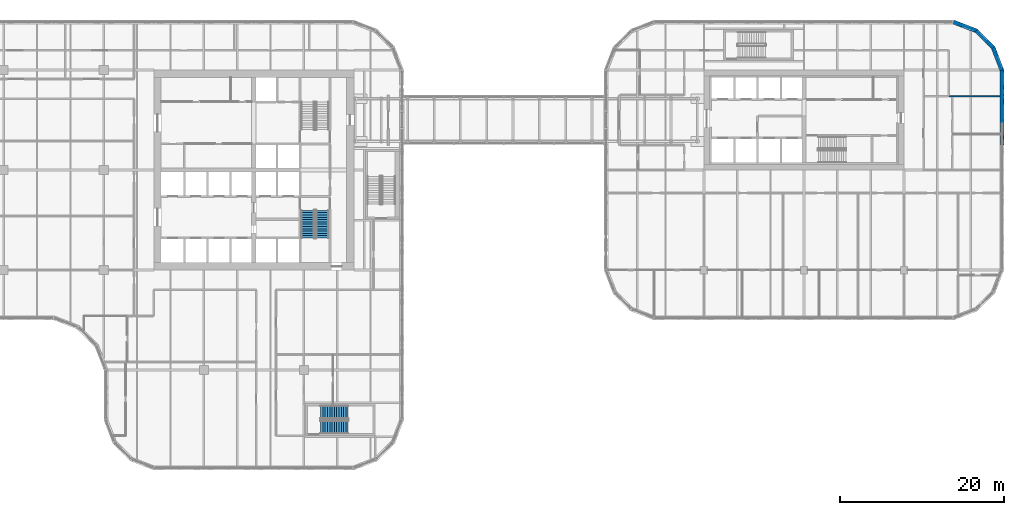
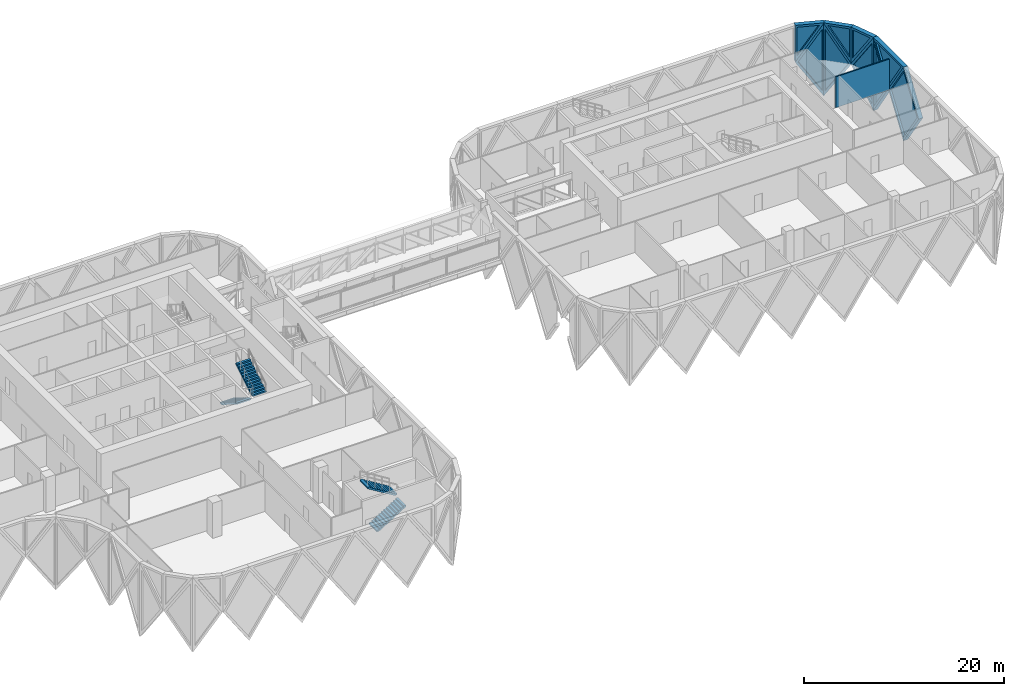
# One storey, part 27 of 30: 10 walls, 9 plates, 4 stair flights, 9 openings, 2 elements without a shape of their own.
"""IFC4 building model written with IfcOpenShell, lengths in metres."""

from ifc_helpers import new_model, si_unit, direction, frame, frame_2d, origin, place, context, subcontext, project, spatial, polyline, rectangle, outline, extrude, faceted_brep, source, transform, mapped, material, layer, layer_set, type_object, element, fill, aggregate, save


model = new_model("IFC4")

# Units and contexts
model_context = context("Model", 3, precision=1e-05, world=origin(), true_north=direction((0.0, 1.0)))
body_context = subcontext(model_context, "Body", "Model", "MODEL_VIEW")
ifc_project = project(units=[si_unit("LENGTHUNIT", "METRE"), si_unit("AREAUNIT", "SQUARE_METRE"), si_unit("VOLUMEUNIT", "CUBIC_METRE"), si_unit("PLANEANGLEUNIT", "RADIAN"), si_unit("MASSUNIT", "GRAM", prefix="KILO")], contexts=[model_context])

# Site, building, storey
site_placement = place(None, origin())
site = spatial("IfcSite", under=ifc_project, at=site_placement, CompositionType="ELEMENT")
building_placement = place(site_placement, origin())
building = spatial("IfcBuilding", under=site, at=building_placement, Name="Tessera Gate Towers", CompositionType="ELEMENT")
storey_placement = place(building_placement, frame((0.0, 0.0, 21.300048828125)))
storey = spatial("IfcBuildingStorey", under=building, at=storey_placement, Name="L04", CompositionType="ELEMENT", Elevation=21.300048828125)

# Wall
ifc_material_1 = material(Name="Gypsum board on steel studs, mineral wool", Category="steel")
ifc_layer_1 = layer(ifc_material_1, 0.14990234375)
ifc_layer_set_1 = layer_set([ifc_layer_1], Name="TENANCY WALL 150")
wall_type_1 = type_object("IfcWallType", Name="TENANCY WALL 150", PredefinedType="PARTITIONING", material=ifc_layer_set_1)
wall_1_placement = place(storey_placement, frame((127.52587890625, 45.60009765625, 0.0), z_axis=(0.0, 0.0, 1.0), x_axis=(1.0, 0.0, 0.0)))
element("IfcWall", 1, at=wall_1_placement, inside=storey, type_object=wall_type_1, Name="T2-L04-PW-034", PredefinedType="PARTITIONING", context=body_context, shape_type="SweptSolid", body=[
    extrude(rectangle(XDim=6.174072265625, YDim=0.14990234375, at=frame_2d((3.0869140625, 0.0))), origin(), (0.0, 0.0, 1.0), 3.766845703125),
])

# Wall, opening, plate
ifc_material_2 = material(Name="Precast concrete C60/75 white", Category="concrete")
ifc_layer_2 = layer(ifc_material_2, 0.5)
ifc_layer_set_2 = layer_set([ifc_layer_2], Name="TS1 tessera")
wall_type_2 = type_object("IfcWallType", Name="TS1 tessera", PredefinedType="SOLIDWALL", material=ifc_layer_set_2)
shared_shape_1 = source(origin(), body_context, "Body", "SweptSolid", [
    extrude(outline(polyline([(3.050048828125, 0.0), (6.10009765625, 4.5), (3.050048828125, 9.0), (0.0, 4.5), (3.050048828125, 0.0)])), frame((0.0, 0.25, 0.0), z_axis=(0.0, -1.0, 0.0), x_axis=(1.0, 0.0, 0.0)), (0.0, 0.0, 1.0), 0.5),
])
wall_2_placement = place(storey_placement, frame((133.949951171875, 39.64990234375, -4.5), z_axis=(0.0, 0.0, 1.0), x_axis=(0.0, 1.0, 0.0)))
wall_2 = element("IfcWall", 2, at=wall_2_placement, inside=storey, type_object=wall_type_2, Name="Precast tessera T2 TS1-0009", PredefinedType="SOLIDWALL", context=body_context, shape_type="MappedRepresentation", body=[
    mapped(shared_shape_1, transform((0.0, 0.0, 0.0), scale=1.0)),
])
shared_shape_2 = source(origin(), body_context, "Body", "SweptSolid", [
    extrude(outline(polyline([(3.050048828125, 0.445556640625), (5.798095703125, 4.5), (3.050048828125, 8.554443359375), (0.302001953125, 4.5), (3.050048828125, 0.445556640625)])), frame((0.0, 0.260009765625, 0.0), z_axis=(0.0, -1.0, 0.0), x_axis=(1.0, 0.0, 0.0)), (0.0, 0.0, 1.0), 0.52001953125),
])
opening_1_placement = place(wall_2_placement, origin())
opening_1 = element("IfcOpeningElement", 3, at=opening_1_placement, cuts=wall_2, Name="Opening T2-PL2-0013", PredefinedType="OPENING", context=body_context, shape_type="MappedRepresentation", body=[
    mapped(shared_shape_2, transform((0.0, 0.0, 0.0), scale=1.0)),
])
ifc_material_3 = material(Name="Low-e laminated glass", Category="glass")
ifc_layer_3 = layer(ifc_material_3, 0.06005859375)
ifc_layer_set_3 = layer_set([ifc_layer_3], Name="PL2 rhombic pane")
plate_type_1 = type_object("IfcPlateType", Name="PL2 rhombic pane", PredefinedType="SHEET", material=ifc_layer_set_3)
shared_shape_3 = source(origin(), body_context, "Body", "SweptSolid", [
    extrude(outline(polyline([(3.050048828125, 0.445556640625), (5.798095703125, 4.5), (3.050048828125, 8.554443359375), (0.302001953125, 4.5), (3.050048828125, 0.445556640625)])), frame((0.0, 0.030029296875, 0.0), z_axis=(0.0, -1.0, 0.0), x_axis=(1.0, 0.0, 0.0)), (0.0, 0.0, 1.0), 0.06005859375),
])
plate_1_placement = place(opening_1_placement, origin())
plate_1 = element("IfcPlate", 4, at=plate_1_placement, inside=storey, type_object=plate_type_1, Name="Glass pane T2 PL2-0013", PredefinedType="SHEET", context=body_context, shape_type="MappedRepresentation", body=[
    mapped(shared_shape_3, transform((0.0, 0.0, 0.0), scale=1.0)),
])
fill(opening_1, plate_1)

ifc_material_4 = material(Name="Precast concrete C60/75 white", Category="concrete")
ifc_layer_4 = layer(ifc_material_4, 0.5)
ifc_layer_set_4 = layer_set([ifc_layer_4], Name="TS3 corner tessera")
wall_type_3 = type_object("IfcWallType", Name="TS3 corner tessera", PredefinedType="SOLIDWALL", material=ifc_layer_set_4)
shared_shape_4 = source(origin(), body_context, "Body", "Brep", [
    faceted_brep([(0.052978515625, -0.25, 0.0), (3.00341796875, -0.25, 4.5), (0.052978515625, -0.25, 9.0), (0.0, -0.25, 8.919189453125), (0.0, -0.25, 0.080810546875), (0.10595703125, 0.25, 8.919189453125), (2.95703125, 0.25, 4.57080078125), (2.95703125, 0.25, 4.42919921875), (0.10595703125, 0.25, 0.080810546875), (3.00341796875, 0.00048828125, 4.5), (0.052978515625, 0.0, 0.0), (0.052978515625, 0.0, 9.0)], [[[0, 1, 2, 3, 4]], [[5, 6, 7, 8]], [[8, 7, 9, 1, 0, 10]], [[6, 5, 11, 2, 1, 9]], [[3, 2, 11]], [[10, 0, 4]], [[8, 10, 4, 3, 11, 5]], [[9, 7, 6]]]),
])
wall_3_placement = place(storey_placement, frame((130.855712890625, 53.569091796875, -4.5), z_axis=(0.0, 0.0, 1.0), x_axis=(-0.933007896601, 0.359855894603, 0.0)))
wall_3 = element("IfcWall", 5, at=wall_3_placement, inside=storey, type_object=wall_type_3, Name="Precast corner tessera T2 TS3-0024", PredefinedType="SOLIDWALL", context=body_context, shape_type="MappedRepresentation", body=[
    mapped(shared_shape_4, transform((0.0, 0.0, 0.0), scale=1.0)),
])
shared_shape_5 = source(origin(), body_context, "Body", "SweptSolid", [
    extrude(outline(polyline([(0.2529296875, 0.760986328125), (2.70458984375, 4.5), (0.2529296875, 8.239013671875), (0.2529296875, 0.760986328125)])), frame((0.0, 0.260009765625, 0.0), z_axis=(0.0, -1.0, 0.0), x_axis=(1.0, 0.0, 0.0)), (0.0, 0.0, 1.0), 0.52001953125),
])
opening_2_placement = place(wall_3_placement, origin())
opening_2 = element("IfcOpeningElement", 6, at=opening_2_placement, cuts=wall_3, Name="Opening T2-PL2-0017", PredefinedType="OPENING", context=body_context, shape_type="MappedRepresentation", body=[
    mapped(shared_shape_5, transform((0.0, 0.0, 0.0), scale=1.0)),
])
shared_shape_6 = source(origin(), body_context, "Body", "SweptSolid", [
    extrude(outline(polyline([(0.2529296875, 0.760986328125), (2.70458984375, 4.5), (0.2529296875, 8.239013671875), (0.2529296875, 0.760986328125)])), frame((0.0, 0.030029296875, 0.0), z_axis=(0.0, -1.0, 0.0), x_axis=(1.0, 0.0, 0.0)), (0.0, 0.0, 1.0), 0.06005859375),
])
plate_2_placement = place(opening_2_placement, origin())
plate_2 = element("IfcPlate", 7, at=plate_2_placement, inside=storey, type_object=plate_type_1, Name="Glass pane T2 PL2-0017", PredefinedType="SHEET", context=body_context, shape_type="MappedRepresentation", body=[
    mapped(shared_shape_6, transform((0.0, 0.0, 0.0), scale=1.0)),
])
fill(opening_2, plate_2)

shared_shape_7 = source(origin(), body_context, "Body", "Brep", [
    faceted_brep([(3.00341796875, -0.25, 0.0), (3.050048828125, -0.25, 0.071044921875), (3.050048828125, -0.25, 8.928955078125), (3.00341796875, -0.25, 9.0), (0.0, -0.25, 4.5), (0.0, 0.25, 4.5), (2.956787109375, 0.25, 8.930419921875), (2.956787109375, 0.25, 0.069580078125), (3.00341796875, 0.000244140625, 0.0), (3.00341796875, 0.000244140625, 9.0)], [[[0, 1, 2, 3, 4]], [[5, 6, 7]], [[1, 0, 8]], [[9, 3, 2]], [[6, 5, 4, 3, 9]], [[5, 7, 8, 0, 4]], [[1, 8, 7, 6, 9, 2]]]),
])
wall_4_placement = place(storey_placement, frame((133.949951171875, 45.75, -4.5), z_axis=(0.0, 0.0, 1.0), x_axis=(0.0, 1.0, 0.0)))
wall_4 = element("IfcWall", 8, at=wall_4_placement, inside=storey, type_object=wall_type_3, Name="Precast corner tessera T2 TS3-0021", PredefinedType="SOLIDWALL", context=body_context, shape_type="MappedRepresentation", body=[
    mapped(shared_shape_7, transform((0.0, 0.0, 0.0), scale=1.0)),
])
shared_shape_8 = source(origin(), body_context, "Body", "SweptSolid", [
    extrude(outline(polyline([(2.803466796875, 8.25), (0.300537109375, 4.5), (2.803466796875, 0.75), (2.803466796875, 8.25)])), frame((0.0, 0.260009765625, 0.0), z_axis=(0.0, -1.0, 0.0), x_axis=(1.0, 0.0, 0.0)), (0.0, 0.0, 1.0), 0.52001953125),
])
opening_3_placement = place(wall_4_placement, origin())
opening_3 = element("IfcOpeningElement", 9, at=opening_3_placement, cuts=wall_4, Name="Opening T2-PL2-0014", PredefinedType="OPENING", context=body_context, shape_type="MappedRepresentation", body=[
    mapped(shared_shape_8, transform((0.0, 0.0, 0.0), scale=1.0)),
])
shared_shape_9 = source(origin(), body_context, "Body", "SweptSolid", [
    extrude(outline(polyline([(2.803466796875, 8.25), (0.300537109375, 4.5), (2.803466796875, 0.75), (2.803466796875, 8.25)])), frame((0.0, 0.030029296875, 0.0), z_axis=(0.0, -1.0, 0.0), x_axis=(1.0, 0.0, 0.0)), (0.0, 0.0, 1.0), 0.06005859375),
])
plate_3_placement = place(opening_3_placement, origin())
plate_3 = element("IfcPlate", 10, at=plate_3_placement, inside=storey, type_object=plate_type_1, Name="Glass pane T2 PL2-0014", PredefinedType="SHEET", context=body_context, shape_type="MappedRepresentation", body=[
    mapped(shared_shape_9, transform((0.0, 0.0, 0.0), scale=1.0)),
])
fill(opening_3, plate_3)

shared_shape_10 = source(origin(), body_context, "Body", "Brep", [
    faceted_brep([(0.046630859375, -0.25, 0.0), (2.9970703125, -0.25, 4.5), (0.046630859375, -0.25, 9.0), (0.0, -0.25, 8.93017578125), (0.0, -0.25, 0.06982421875), (0.09326171875, 0.25, 8.928955078125), (2.9443359375, 0.25, 4.58056640625), (2.9443359375, 0.25, 4.41943359375), (0.09326171875, 0.25, 0.071044921875), (2.9970703125, 0.00048828125, 4.5), (0.046630859375, 0.0, 0.0), (0.046630859375, 0.0, 9.0)], [[[0, 1, 2, 3, 4]], [[5, 6, 7, 8]], [[8, 7, 9, 1, 0, 10]], [[6, 5, 11, 2, 1, 9]], [[3, 2, 11]], [[10, 0, 4]], [[8, 10, 4, 3, 11, 5]], [[9, 7, 6]]]),
])
wall_5_placement = place(storey_placement, frame((133.966796875, 48.7099609375, -4.5), z_axis=(0.0, 0.0, 1.0), x_axis=(-0.359901446078, 0.932990326376, 0.0)))
wall_5 = element("IfcWall", 11, at=wall_5_placement, inside=storey, type_object=wall_type_3, Name="Precast corner tessera T2 TS3-0022", PredefinedType="SOLIDWALL", context=body_context, shape_type="MappedRepresentation", body=[
    mapped(shared_shape_10, transform((0.0, 0.0, 0.0), scale=1.0)),
])
shared_shape_11 = source(origin(), body_context, "Body", "SweptSolid", [
    extrude(outline(polyline([(0.24658203125, 0.760986328125), (2.6982421875, 4.5), (0.24658203125, 8.239013671875), (0.24658203125, 0.760986328125)])), frame((0.0, 0.260009765625, 0.0), z_axis=(0.0, -1.0, 0.0), x_axis=(1.0, 0.0, 0.0)), (0.0, 0.0, 1.0), 0.52001953125),
])
opening_4_placement = place(wall_5_placement, origin())
opening_4 = element("IfcOpeningElement", 12, at=opening_4_placement, cuts=wall_5, Name="Opening T2-PL2-0015", PredefinedType="OPENING", context=body_context, shape_type="MappedRepresentation", body=[
    mapped(shared_shape_11, transform((0.0, 0.0, 0.0), scale=1.0)),
])
shared_shape_12 = source(origin(), body_context, "Body", "SweptSolid", [
    extrude(outline(polyline([(0.24658203125, 0.760986328125), (2.6982421875, 4.5), (0.24658203125, 8.239013671875), (0.24658203125, 0.760986328125)])), frame((0.0, 0.030029296875, 0.0), z_axis=(0.0, -1.0, 0.0), x_axis=(1.0, 0.0, 0.0)), (0.0, 0.0, 1.0), 0.06005859375),
])
plate_4_placement = place(opening_4_placement, origin())
plate_4 = element("IfcPlate", 13, at=plate_4_placement, inside=storey, type_object=plate_type_1, Name="Glass pane T2 PL2-0015", PredefinedType="SHEET", context=body_context, shape_type="MappedRepresentation", body=[
    mapped(shared_shape_12, transform((0.0, 0.0, 0.0), scale=1.0)),
])
fill(opening_4, plate_4)

shared_shape_13 = source(origin(), body_context, "Body", "Brep", [
    faceted_brep([(2.944091796875, -0.25, 0.0), (2.9970703125, -0.25, 0.080810546875), (2.9970703125, -0.25, 8.919189453125), (2.944091796875, -0.25, 9.0), (0.0, -0.25, 4.5), (0.052978515625, 0.25, 4.580810546875), (2.89111328125, 0.25, 8.919189453125), (2.89111328125, 0.25, 0.080810546875), (0.052978515625, 0.25, 4.419189453125), (2.944091796875, 0.000244140625, 0.0), (2.944091796875, 0.000244140625, 9.0), (0.0, 0.0, 4.5)], [[[0, 1, 2, 3, 4]], [[5, 6, 7, 8]], [[1, 0, 9]], [[10, 3, 2]], [[6, 5, 11, 4, 3, 10]], [[8, 7, 9, 0, 4, 11]], [[8, 11, 5]], [[1, 9, 7, 6, 10, 2]]]),
])
wall_6_placement = place(storey_placement, frame((132.88818359375, 51.50634765625, -4.5), z_axis=(0.0, 0.0, 1.0), x_axis=(-0.707147509625, 0.707066050402, 0.0)))
wall_6 = element("IfcWall", 14, at=wall_6_placement, inside=storey, type_object=wall_type_3, Name="Precast corner tessera T2 TS3-0023", PredefinedType="SOLIDWALL", context=body_context, shape_type="MappedRepresentation", body=[
    mapped(shared_shape_13, transform((0.0, 0.0, 0.0), scale=1.0)),
])
shared_shape_14 = source(origin(), body_context, "Body", "SweptSolid", [
    extrude(outline(polyline([(2.744140625, 8.237548828125), (0.298828125, 4.5), (2.744140625, 0.76220703125), (2.744140625, 8.237548828125)])), frame((0.0, 0.260009765625, 0.0), z_axis=(0.0, -1.0, 0.0), x_axis=(1.0, 0.0, 0.0)), (0.0, 0.0, 1.0), 0.52001953125),
])
opening_5_placement = place(wall_6_placement, origin())
opening_5 = element("IfcOpeningElement", 15, at=opening_5_placement, cuts=wall_6, Name="Opening T2-PL2-0016", PredefinedType="OPENING", context=body_context, shape_type="MappedRepresentation", body=[
    mapped(shared_shape_14, transform((0.0, 0.0, 0.0), scale=1.0)),
])
shared_shape_15 = source(origin(), body_context, "Body", "SweptSolid", [
    extrude(outline(polyline([(2.744140625, 8.237548828125), (0.298828125, 4.5), (2.744140625, 0.76220703125), (2.744140625, 8.237548828125)])), frame((0.0, 0.030029296875, 0.0), z_axis=(0.0, -1.0, 0.0), x_axis=(1.0, 0.0, 0.0)), (0.0, 0.0, 1.0), 0.06005859375),
])
plate_5_placement = place(opening_5_placement, origin())
plate_5 = element("IfcPlate", 16, at=plate_5_placement, inside=storey, type_object=plate_type_1, Name="Glass pane T2 PL2-0016", PredefinedType="SHEET", context=body_context, shape_type="MappedRepresentation", body=[
    mapped(shared_shape_15, transform((0.0, 0.0, 0.0), scale=1.0)),
])
fill(opening_5, plate_5)

shared_shape_16 = source(origin(), body_context, "Body", "Brep", [
    faceted_brep([(2.950439453125, -0.25, 0.0), (2.9970703125, -0.25, 0.06982421875), (2.9970703125, -0.25, 4.5), (0.0, -0.25, 4.5), (0.052978515625, 0.25, 4.5), (2.904052734375, 0.25, 4.5), (2.904052734375, 0.25, 0.07080078125), (0.052978515625, 0.25, 4.419189453125), (2.950439453125, 0.00048828125, 0.0), (0.0, 0.0, 4.5)], [[[0, 1, 2, 3]], [[4, 5, 6, 7]], [[1, 0, 8]], [[5, 4, 9, 3, 2]], [[7, 6, 8, 0, 3, 9]], [[7, 9, 4]], [[1, 8, 6, 5, 2]]]),
])
wall_7_placement = place(storey_placement, frame((130.80615234375, 53.588134765625, 0.0), z_axis=(0.0, 0.0, 1.0), x_axis=(-0.932990326376, 0.359901446078, 0.0)))
wall_7 = element("IfcWall", 17, at=wall_7_placement, inside=storey, type_object=wall_type_3, Name="Precast corner tessera T2 TS3-0041", PredefinedType="SOLIDWALL", context=body_context, shape_type="MappedRepresentation", body=[
    mapped(shared_shape_16, transform((0.0, 0.0, 0.0), scale=1.0)),
])
shared_shape_17 = source(origin(), body_context, "Body", "SweptSolid", [
    extrude(outline(polyline([(2.75048828125, 4.25), (0.462890625, 4.25), (2.75048828125, 0.760986328125), (2.75048828125, 4.25)])), frame((0.0, 0.260009765625, 0.0), z_axis=(0.0, -1.0, 0.0), x_axis=(1.0, 0.0, 0.0)), (0.0, 0.0, 1.0), 0.52001953125),
])
opening_6_placement = place(wall_7_placement, origin())
opening_6 = element("IfcOpeningElement", 18, at=opening_6_placement, cuts=wall_7, Name="Opening T2-PL1-0051", PredefinedType="OPENING", context=body_context, shape_type="MappedRepresentation", body=[
    mapped(shared_shape_17, transform((0.0, 0.0, 0.0), scale=1.0)),
])
ifc_material_5 = material(Name="Low-e laminated glass", Category="glass")
ifc_layer_5 = layer(ifc_material_5, 0.06005859375)
ifc_layer_set_5 = layer_set([ifc_layer_5], Name="PL1 triangular pane")
plate_type_2 = type_object("IfcPlateType", Name="PL1 triangular pane", PredefinedType="SHEET", material=ifc_layer_set_5)
shared_shape_18 = source(origin(), body_context, "Body", "SweptSolid", [
    extrude(outline(polyline([(2.75048828125, 4.25), (0.462890625, 4.25), (2.75048828125, 0.760986328125), (2.75048828125, 4.25)])), frame((0.0, 0.030029296875, 0.0), z_axis=(0.0, -1.0, 0.0), x_axis=(1.0, 0.0, 0.0)), (0.0, 0.0, 1.0), 0.06005859375),
])
plate_6_placement = place(opening_6_placement, origin())
plate_6 = element("IfcPlate", 19, at=plate_6_placement, inside=storey, type_object=plate_type_2, Name="Glass pane T2 PL1-0051", PredefinedType="SHEET", context=body_context, shape_type="MappedRepresentation", body=[
    mapped(shared_shape_18, transform((0.0, 0.0, 0.0), scale=1.0)),
])
fill(opening_6, plate_6)

ifc_material_6 = material(Name="Precast concrete C60/75 white", Category="concrete")
ifc_layer_6 = layer(ifc_material_6, 0.5)
ifc_layer_set_6 = layer_set([ifc_layer_6], Name="TS2 half tessera")
wall_type_4 = type_object("IfcWallType", Name="TS2 half tessera", PredefinedType="SOLIDWALL", material=ifc_layer_set_6)
shared_shape_19 = source(origin(), body_context, "Body", "Brep", [
    faceted_brep([(3.050048828125, -0.25, 0.0), (6.053466796875, -0.25, 4.5), (0.0, -0.25, 4.5), (0.0, 0.25, 4.5), (6.0068359375, 0.25, 4.5), (6.0068359375, 0.25, 4.43017578125), (3.050048828125, 0.25, 0.0), (6.053466796875, 0.0, 4.5)], [[[0, 1, 2]], [[3, 4, 5, 6]], [[6, 5, 7, 1, 0]], [[4, 3, 2, 1, 7]], [[3, 6, 0, 2]], [[5, 4, 7]]]),
])
wall_8_placement = place(storey_placement, frame((133.949951171875, 42.699951171875, 0.0), z_axis=(0.0, 0.0, 1.0), x_axis=(0.0, 1.0, 0.0)))
wall_8 = element("IfcWall", 20, at=wall_8_placement, inside=storey, type_object=wall_type_4, Name="Precast half tessera T2 TS2-0026", PredefinedType="SOLIDWALL", context=body_context, shape_type="MappedRepresentation", body=[
    mapped(shared_shape_19, transform((0.0, 0.0, 0.0), scale=1.0)),
])
shared_shape_20 = source(origin(), body_context, "Body", "SweptSolid", [
    extrude(outline(polyline([(3.04833984375, 0.447998046875), (5.5859375, 4.25), (0.471435546875, 4.25), (3.04833984375, 0.447998046875)])), frame((0.0, 0.260009765625, 0.0), z_axis=(0.0, -1.0, 0.0), x_axis=(1.0, 0.0, 0.0)), (0.0, 0.0, 1.0), 0.52001953125),
])
opening_7_placement = place(wall_8_placement, origin())
opening_7 = element("IfcOpeningElement", 21, at=opening_7_placement, cuts=wall_8, Name="Opening T2-PL1-0048", PredefinedType="OPENING", context=body_context, shape_type="MappedRepresentation", body=[
    mapped(shared_shape_20, transform((0.0, 0.0, 0.0), scale=1.0)),
])
shared_shape_21 = source(origin(), body_context, "Body", "SweptSolid", [
    extrude(outline(polyline([(3.04833984375, 0.447998046875), (5.5859375, 4.25), (0.471435546875, 4.25), (3.04833984375, 0.447998046875)])), frame((0.0, 0.030029296875, 0.0), z_axis=(0.0, -1.0, 0.0), x_axis=(1.0, 0.0, 0.0)), (0.0, 0.0, 1.0), 0.06005859375),
])
plate_7_placement = place(opening_7_placement, origin())
plate_7 = element("IfcPlate", 22, at=plate_7_placement, inside=storey, type_object=plate_type_2, Name="Glass pane T2 PL1-0048", PredefinedType="SHEET", context=body_context, shape_type="MappedRepresentation", body=[
    mapped(shared_shape_21, transform((0.0, 0.0, 0.0), scale=1.0)),
])
fill(opening_7, plate_7)

shared_shape_22 = source(origin(), body_context, "Body", "Brep", [
    faceted_brep([(0.052978515625, -0.25, 0.0), (2.9970703125, -0.25, 4.5), (0.0, -0.25, 4.5), (0.0, -0.25, 0.080810546875), (0.10595703125, 0.25, 4.5), (2.944091796875, 0.25, 4.5), (2.944091796875, 0.25, 4.419189453125), (0.10595703125, 0.25, 0.080810546875), (2.9970703125, 0.000244140625, 4.5), (0.052978515625, 0.0, 0.0)], [[[0, 1, 2, 3]], [[4, 5, 6, 7]], [[7, 6, 8, 1, 0, 9]], [[5, 4, 2, 1, 8]], [[9, 0, 3]], [[7, 9, 3, 2, 4]], [[6, 5, 8]]]),
])
wall_9_placement = place(storey_placement, frame((132.925537109375, 51.46875, 0.0), z_axis=(0.0, 0.0, 1.0), x_axis=(-0.707066050402, 0.707147509625, 0.0)))
wall_9 = element("IfcWall", 23, at=wall_9_placement, inside=storey, type_object=wall_type_3, Name="Precast corner tessera T2 TS3-0040", PredefinedType="SOLIDWALL", context=body_context, shape_type="MappedRepresentation", body=[
    mapped(shared_shape_22, transform((0.0, 0.0, 0.0), scale=1.0)),
])
shared_shape_23 = source(origin(), body_context, "Body", "SweptSolid", [
    extrude(outline(polyline([(0.2529296875, 0.76220703125), (2.534912109375, 4.25), (0.2529296875, 4.25), (0.2529296875, 0.76220703125)])), frame((0.0, 0.260009765625, 0.0), z_axis=(0.0, -1.0, 0.0), x_axis=(1.0, 0.0, 0.0)), (0.0, 0.0, 1.0), 0.52001953125),
])
opening_8_placement = place(wall_9_placement, origin())
opening_8 = element("IfcOpeningElement", 24, at=opening_8_placement, cuts=wall_9, Name="Opening T2-PL1-0050", PredefinedType="OPENING", context=body_context, shape_type="MappedRepresentation", body=[
    mapped(shared_shape_23, transform((0.0, 0.0, 0.0), scale=1.0)),
])
shared_shape_24 = source(origin(), body_context, "Body", "SweptSolid", [
    extrude(outline(polyline([(0.2529296875, 0.76220703125), (2.534912109375, 4.25), (0.2529296875, 4.25), (0.2529296875, 0.76220703125)])), frame((0.0, 0.030029296875, 0.0), z_axis=(0.0, -1.0, 0.0), x_axis=(1.0, 0.0, 0.0)), (0.0, 0.0, 1.0), 0.06005859375),
])
plate_8_placement = place(opening_8_placement, origin())
plate_8 = element("IfcPlate", 25, at=plate_8_placement, inside=storey, type_object=plate_type_2, Name="Glass pane T2 PL1-0050", PredefinedType="SHEET", context=body_context, shape_type="MappedRepresentation", body=[
    mapped(shared_shape_24, transform((0.0, 0.0, 0.0), scale=1.0)),
])
fill(opening_8, plate_8)

shared_shape_25 = source(origin(), body_context, "Body", "Brep", [
    faceted_brep([(2.950439453125, -0.25, 0.0), (3.00341796875, -0.25, 0.0810546875), (3.00341796875, -0.25, 4.5), (0.0, -0.25, 4.5), (0.046630859375, 0.25, 4.5), (2.897705078125, 0.25, 4.5), (2.897705078125, 0.25, 0.08056640625), (0.046630859375, 0.25, 4.428955078125), (2.950439453125, 0.00048828125, 0.0), (0.0, 0.0, 4.5)], [[[0, 1, 2, 3]], [[4, 5, 6, 7]], [[1, 0, 8]], [[5, 4, 9, 3, 2]], [[7, 6, 8, 0, 3, 9]], [[7, 9, 4]], [[1, 8, 6, 5, 2]]]),
])
wall_10_placement = place(storey_placement, frame((133.949951171875, 48.75341796875, 0.0), z_axis=(0.0, 0.0, 1.0), x_axis=(-0.359855894603, 0.933007896601, 0.0)))
wall_10 = element("IfcWall", 26, at=wall_10_placement, inside=storey, type_object=wall_type_3, Name="Precast corner tessera T2 TS3-0039", PredefinedType="SOLIDWALL", context=body_context, shape_type="MappedRepresentation", body=[
    mapped(shared_shape_25, transform((0.0, 0.0, 0.0), scale=1.0)),
])
opening_9_placement = place(wall_10_placement, origin())
opening_9 = element("IfcOpeningElement", 27, at=opening_9_placement, cuts=wall_10, Name="Opening T2-PL1-0049", PredefinedType="OPENING", context=body_context, shape_type="MappedRepresentation", body=[
    mapped(shared_shape_17, transform((0.0, 0.0, 0.0), scale=1.0)),
])
plate_9_placement = place(opening_9_placement, origin())
plate_9 = element("IfcPlate", 28, at=plate_9_placement, inside=storey, type_object=plate_type_2, Name="Glass pane T2 PL1-0049", PredefinedType="SHEET", context=body_context, shape_type="MappedRepresentation", body=[
    mapped(shared_shape_18, transform((0.0, 0.0, 0.0), scale=1.0)),
])
fill(opening_9, plate_9)

# Stair, stair flights
ifc_material_7 = material(Name="Concrete C40/50", Category="concrete")
stair_type_1 = type_object("IfcStairType", Name="EXIT STAIR ST1B 1600", PredefinedType="HALF_TURN_STAIR", material=ifc_material_7)
stair_1_placement = place(storey_placement, origin())
stair_1 = element("IfcStair", 29, at=stair_1_placement, inside=storey, type_object=stair_type_1, Name="L04 Protected Exit Stair ST1", PredefinedType="HALF_TURN_STAIR")
ifc_material_8 = material(Name="Concrete C40/50", Category="concrete")
stair_flight_type_1 = type_object("IfcStairFlightType", Name="EXIT STAIR FLIGHT ST1B 1600", PredefinedType="STRAIGHT", material=ifc_material_8)
stair_flight_1_placement = place(storey_placement, frame((49.27490234375, 31.675048828125, 0.0), z_axis=(0.0, 0.0, 1.0), x_axis=(0.0, -1.0, 0.0)))
stair_flight_1 = element("IfcStairFlight", 30, at=stair_flight_1_placement, type_object=stair_flight_type_1, Name="ST1 flight 1", NumberOfRisers=13, NumberOfTreads=12, PredefinedType="STRAIGHT", RiserHeight=0.173076923, TreadLength=0.28, context=body_context, shape_type="SweptSolid", body=[
    extrude(outline(polyline([(0.0, 0.0), (0.0, 0.173095703125), (0.280029296875, 0.173095703125), (0.280029296875, 0.34619140625), (0.56005859375, 0.34619140625), (0.56005859375, 0.519287109375), (0.840087890625, 0.519287109375), (0.840087890625, 0.6923828125), (1.1201171875, 0.6923828125), (1.1201171875, 0.865478515625), (1.39990234375, 0.865478515625), (1.39990234375, 1.03857421875), (1.679931640625, 1.03857421875), (1.679931640625, 1.21142578125), (1.9599609375, 1.21142578125), (1.9599609375, 1.384521484375), (2.239990234375, 1.384521484375), (2.239990234375, 1.5576171875), (2.52001953125, 1.5576171875), (2.52001953125, 1.730712890625), (2.800048828125, 1.730712890625), (2.800048828125, 1.90380859375), (3.080078125, 1.90380859375), (3.080078125, 2.076904296875), (3.360107421875, 2.076904296875), (3.360107421875, 2.25), (3.360107421875, 1.900634765625), (0.28515625, 0.0), (0.0, 0.0)])), frame((0.0, 0.800048828125, 0.0), z_axis=(0.0, -1.0, 0.0), x_axis=(1.0, 0.0, 0.0)), (0.0, 0.0, 1.0), 1.60009765625),
])
stair_flight_2_placement = place(storey_placement, frame((51.074951171875, 28.31494140625, 2.25), z_axis=(0.0, 0.0, 1.0), x_axis=(0.0, 1.0, 0.0)))
stair_flight_2 = element("IfcStairFlight", 31, at=stair_flight_2_placement, type_object=stair_flight_type_1, Name="ST1 flight 2", NumberOfRisers=13, NumberOfTreads=12, PredefinedType="STRAIGHT", RiserHeight=0.173076923, TreadLength=0.28, context=body_context, shape_type="SweptSolid", body=[
    extrude(outline(polyline([(0.0, 0.0), (0.0, 0.173095703125), (0.280029296875, 0.173095703125), (0.280029296875, 0.34619140625), (0.56005859375, 0.34619140625), (0.56005859375, 0.519287109375), (0.840087890625, 0.519287109375), (0.840087890625, 0.6923828125), (1.1201171875, 0.6923828125), (1.1201171875, 0.865478515625), (1.39990234375, 0.865478515625), (1.39990234375, 1.03857421875), (1.679931640625, 1.03857421875), (1.679931640625, 1.21142578125), (1.9599609375, 1.21142578125), (1.9599609375, 1.384521484375), (2.239990234375, 1.384521484375), (2.239990234375, 1.5576171875), (2.52001953125, 1.5576171875), (2.52001953125, 1.730712890625), (2.800048828125, 1.730712890625), (2.800048828125, 1.90380859375), (3.080078125, 1.90380859375), (3.080078125, 2.076904296875), (3.360107421875, 2.076904296875), (3.360107421875, 2.25), (3.360107421875, 1.900634765625), (0.28515625, 0.0), (0.0, 0.0)])), frame((0.0, 0.800048828125, 0.0), z_axis=(0.0, -1.0, 0.0), x_axis=(1.0, 0.0, 0.0)), (0.0, 0.0, 1.0), 1.60009765625),
])
aggregate(stair_1, [stair_flight_1, stair_flight_2])

ifc_material_9 = material(Name="Concrete C40/50", Category="concrete")
stair_type_2 = type_object("IfcStairType", Name="EXIT STAIR ST4B 1600", PredefinedType="HALF_TURN_STAIR", material=ifc_material_9)
stair_2_placement = place(storey_placement, origin())
stair_2 = element("IfcStair", 32, at=stair_2_placement, inside=storey, type_object=stair_type_2, Name="L04 South Exit Stair ST4", PredefinedType="HALF_TURN_STAIR")
ifc_material_10 = material(Name="Concrete C40/50", Category="concrete")
stair_flight_type_2 = type_object("IfcStairFlightType", Name="EXIT STAIR FLIGHT ST4B 1600", PredefinedType="STRAIGHT", material=ifc_material_10)
stair_flight_3_placement = place(storey_placement, frame((50.85009765625, 5.25, 0.0), z_axis=(0.0, 0.0, 1.0), x_axis=(1.0, 0.0, 0.0)))
stair_flight_3 = element("IfcStairFlight", 33, at=stair_flight_3_placement, type_object=stair_flight_type_2, Name="ST4 flight 1", NumberOfRisers=13, NumberOfTreads=12, PredefinedType="STRAIGHT", RiserHeight=0.173076923, TreadLength=0.28, context=body_context, shape_type="SweptSolid", body=[
    extrude(outline(polyline([(0.0, 0.0), (0.0, 0.173095703125), (0.280029296875, 0.173095703125), (0.280029296875, 0.34619140625), (0.56005859375, 0.34619140625), (0.56005859375, 0.519287109375), (0.840087890625, 0.519287109375), (0.840087890625, 0.6923828125), (1.1201171875, 0.6923828125), (1.1201171875, 0.865478515625), (1.39990234375, 0.865478515625), (1.39990234375, 1.03857421875), (1.679931640625, 1.03857421875), (1.679931640625, 1.21142578125), (1.9599609375, 1.21142578125), (1.9599609375, 1.384521484375), (2.239990234375, 1.384521484375), (2.239990234375, 1.5576171875), (2.52001953125, 1.5576171875), (2.52001953125, 1.730712890625), (2.800048828125, 1.730712890625), (2.800048828125, 1.90380859375), (3.080078125, 1.90380859375), (3.080078125, 2.076904296875), (3.360107421875, 2.076904296875), (3.360107421875, 2.25), (3.360107421875, 1.900634765625), (0.28515625, 0.0), (0.0, 0.0)])), frame((0.0, 0.800048828125, 0.0), z_axis=(0.0, -1.0, 0.0), x_axis=(1.0, 0.0, 0.0)), (0.0, 0.0, 1.0), 1.60009765625),
])
stair_flight_4_placement = place(storey_placement, frame((54.2099609375, 7.050048828125, 2.25), z_axis=(0.0, 0.0, 1.0), x_axis=(-1.0, 0.0, 0.0)))
stair_flight_4 = element("IfcStairFlight", 34, at=stair_flight_4_placement, type_object=stair_flight_type_2, Name="ST4 flight 2", NumberOfRisers=13, NumberOfTreads=12, PredefinedType="STRAIGHT", RiserHeight=0.173076923, TreadLength=0.28, context=body_context, shape_type="SweptSolid", body=[
    extrude(outline(polyline([(0.0, 0.0), (0.0, 0.173095703125), (0.280029296875, 0.173095703125), (0.280029296875, 0.34619140625), (0.56005859375, 0.34619140625), (0.56005859375, 0.519287109375), (0.840087890625, 0.519287109375), (0.840087890625, 0.6923828125), (1.1201171875, 0.6923828125), (1.1201171875, 0.865478515625), (1.39990234375, 0.865478515625), (1.39990234375, 1.03857421875), (1.679931640625, 1.03857421875), (1.679931640625, 1.21142578125), (1.9599609375, 1.21142578125), (1.9599609375, 1.384521484375), (2.239990234375, 1.384521484375), (2.239990234375, 1.5576171875), (2.52001953125, 1.5576171875), (2.52001953125, 1.730712890625), (2.800048828125, 1.730712890625), (2.800048828125, 1.90380859375), (3.080078125, 1.90380859375), (3.080078125, 2.076904296875), (3.360107421875, 2.076904296875), (3.360107421875, 2.25), (3.360107421875, 1.900634765625), (0.28515625, 0.0), (0.0, 0.0)])), frame((0.0, 0.800048828125, 0.0), z_axis=(0.0, -1.0, 0.0), x_axis=(1.0, 0.0, 0.0)), (0.0, 0.0, 1.0), 1.60009765625),
])
aggregate(stair_2, [stair_flight_3, stair_flight_4])

save(model, "model.ifc")
